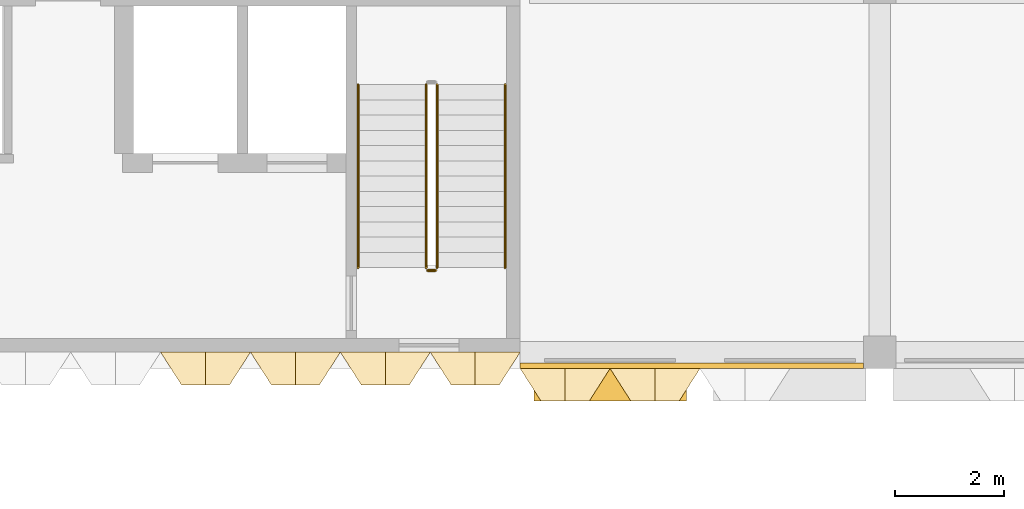
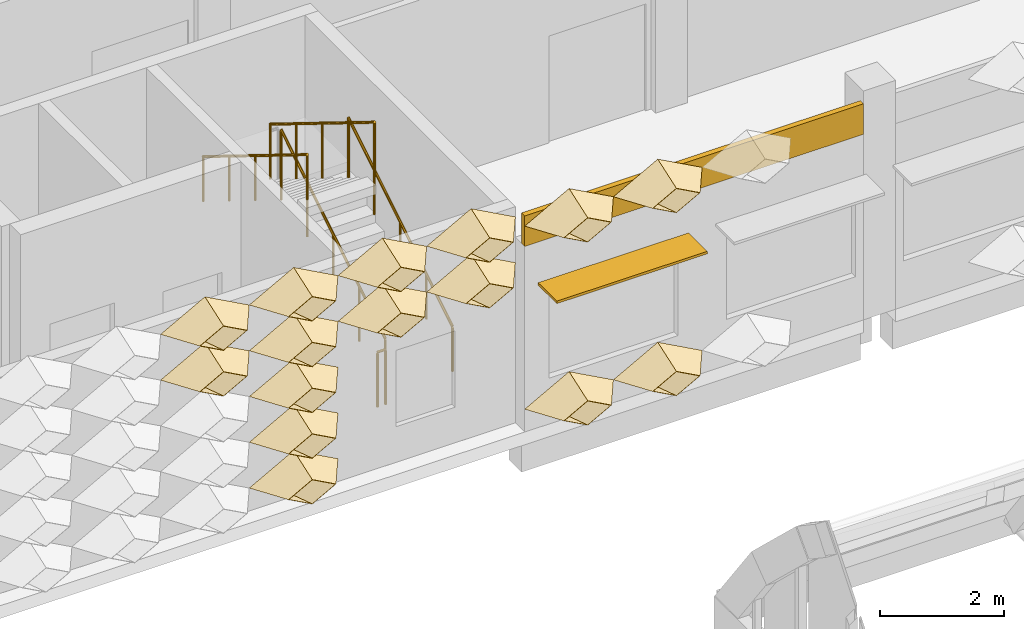
# One storey, part 89 of 102: 16 coverings, 5 railings, 1 shading device.
"""IFC4 building model written with IfcOpenShell, lengths in metres."""

from ifc_helpers import new_model, entity, si_unit, direction, frame, frame_2d, origin, origin_2d, place, context, subcontext, project, spatial, rectangle, circle, extrude, material, layer, layer_set, type_object, element, save


model = new_model("IFC4")

# Units and contexts
model_context = context("Model", 3, precision=1e-05, world=origin(), true_north=direction((0.0, 1.0)))
body_context = subcontext(model_context, "Body", "Model", "MODEL_VIEW")
ifc_project = project(units=[si_unit("LENGTHUNIT", "METRE"), si_unit("AREAUNIT", "SQUARE_METRE"), si_unit("VOLUMEUNIT", "CUBIC_METRE"), si_unit("PLANEANGLEUNIT", "RADIAN"), si_unit("MASSUNIT", "GRAM", prefix="KILO")], contexts=[model_context])

# Site, building, storey
site_placement = place(None, origin())
site = spatial("IfcSite", under=ifc_project, at=site_placement, CompositionType="ELEMENT")
building_placement = place(site_placement, origin())
building = spatial("IfcBuilding", under=site, at=building_placement, Name="Lantern Court Research Institute", CompositionType="ELEMENT")
storey_placement = place(building_placement, frame((0.0, 0.0, 9.89990234375)))
storey = spatial("IfcBuildingStorey", under=building, at=storey_placement, Name="L02", CompositionType="ELEMENT", Elevation=9.89990234375)

# Shading device
ifc_material_1 = material(Name="Aluminium alloy 6063-T6", Category="aluminium")
ifc_layer_1 = layer(ifc_material_1, 0.050048828125)
ifc_layer_set_1 = layer_set([ifc_layer_1], Name="Aluminium alloy 6063-T6")
shading_device_type = type_object("IfcShadingDeviceType", Name="Brise-soleil blade 2800 x 600 x 50 aluminium", PredefinedType="USERDEFINED", material=ifc_layer_set_1)
shading_device_placement = place(storey_placement, frame((54.449951171875, 81.89990234375, 2.80029296875), z_axis=(0.0, 0.0, 1.0), x_axis=(-1.0, 0.0, 0.0)))
element("IfcShadingDevice", 1, at=shading_device_placement, inside=storey, type_object=shading_device_type, Name="Brise-soleil blade L02 S", ObjectType="LOUVRE", PredefinedType="USERDEFINED", context=body_context, shape_type="SweptSolid", body=[
    extrude(rectangle(XDim=2.800048828125, YDim=0.60009765625, at=origin_2d()), origin(), (0.0, 0.0, 1.0), 0.050048828125),
])

# Coverings
ifc_material_2 = material(Name="Aluminium composite panel with mineral wool insulation", Category="aluminium")
ifc_layer_2 = layer(ifc_material_2, 0.10009765625)
ifc_layer_set_2 = layer_set([ifc_layer_2], Name="Aluminium composite panel with mineral wool insulation")
covering_type_1 = type_object("IfcCoveringType", Name="Edge fascia panel 100 aluminium faced", PredefinedType="CLADDING", material=ifc_layer_set_2)
covering_1_placement = place(storey_placement, frame((59.10009765625, 82.25, 3.650146484375), z_axis=(0.0, 0.0, 1.0), x_axis=(-1.0, 0.0, 0.0)))
element("IfcCovering", 2, at=covering_1_placement, inside=storey, type_object=covering_type_1, Name="Edge fascia V6S L02 07", PredefinedType="CLADDING", context=body_context, shape_type="SweptSolid", body=[
    extrude(rectangle(XDim=6.300048828125, YDim=0.10009765625, at=frame_2d((3.14990234375, 0.0))), origin(), (0.0, 0.0, 1.0), 0.599853515625),
])
ifc_material_3 = material(Name="Anodised aluminium", Category="aluminium")
ifc_layer_3 = layer(ifc_material_3, 0.01611328125)
ifc_layer_set_3 = layer_set([ifc_layer_3], Name="Anodised aluminium")
covering_type_2 = type_object("IfcCoveringType", Name="Fin cassette 1650 x 900 x 600 aluminium", PredefinedType="CLADDING", material=ifc_layer_set_3)
covering_2_placement = place(storey_placement, frame((48.675048828125, 82.5, 0.4501953125), z_axis=(0.0, -1.0, 0.0), x_axis=(1.0, 0.0, 0.0)))
cartesian_point_1 = entity("IfcCartesianPoint", [0.824951171875, 0.0])
cartesian_point_2 = entity("IfcCartesianPoint", [0.79150390625, 0.0])
cartesian_point_3 = entity("IfcCartesianPoint", [0.44189453125, 0.0])
cartesian_point_4 = entity("IfcCartesianPoint", [0.43359375, 0.0])
element("IfcCovering", 3, at=covering_2_placement, inside=storey, type_object=covering_type_2, Name="Fin cassette V6S-L02 1.30", PredefinedType="CLADDING", context=body_context, shape_type="SweptSolid", body=[
    entity("IfcExtrudedAreaSolidTapered", entity("IfcArbitraryProfileDefWithVoids", "AREA", None, entity("IfcPolyline", [cartesian_point_1, entity("IfcCartesianPoint", [0.0, 0.449951171875]), entity("IfcCartesianPoint", [-0.824951171875, 0.0]), entity("IfcCartesianPoint", [0.0, -0.449951171875]), cartesian_point_1]), [entity("IfcPolyline", [cartesian_point_2, entity("IfcCartesianPoint", [0.0, 0.431884765625]), entity("IfcCartesianPoint", [-0.79150390625, 0.0]), entity("IfcCartesianPoint", [0.0, -0.431884765625]), cartesian_point_2])]), entity("IfcAxis2Placement3D", entity("IfcCartesianPoint", [0.0, 0.0, 0.0])), entity("IfcDirection", [0.0, 0.0, 1.0]), 0.60009765625, entity("IfcArbitraryProfileDefWithVoids", "AREA", None, entity("IfcPolyline", [cartesian_point_3, entity("IfcCartesianPoint", [0.0, 0.240966796875]), entity("IfcCartesianPoint", [-0.44189453125, 0.0]), entity("IfcCartesianPoint", [0.0, -0.240966796875]), cartesian_point_3]), [entity("IfcPolyline", [cartesian_point_4, entity("IfcCartesianPoint", [0.0, 0.236572265625]), entity("IfcCartesianPoint", [-0.43359375, 0.0]), entity("IfcCartesianPoint", [0.0, -0.236572265625]), cartesian_point_4])])),
])
covering_3_placement = place(storey_placement, frame((48.675048828125, 82.5, 1.35009765625), z_axis=(0.0, -1.0, 0.0), x_axis=(1.0, 0.0, 0.0)))
cartesian_point_5 = entity("IfcCartesianPoint", [0.824951171875, 0.0])
cartesian_point_6 = entity("IfcCartesianPoint", [0.79150390625, 0.0])
cartesian_point_7 = entity("IfcCartesianPoint", [0.44189453125, 0.0])
cartesian_point_8 = entity("IfcCartesianPoint", [0.43359375, 0.0])
element("IfcCovering", 4, at=covering_3_placement, inside=storey, type_object=covering_type_2, Name="Fin cassette V6S-L02 2.30", PredefinedType="CLADDING", context=body_context, shape_type="SweptSolid", body=[
    entity("IfcExtrudedAreaSolidTapered", entity("IfcArbitraryProfileDefWithVoids", "AREA", None, entity("IfcPolyline", [cartesian_point_5, entity("IfcCartesianPoint", [0.0, 0.449951171875]), entity("IfcCartesianPoint", [-0.824951171875, 0.0]), entity("IfcCartesianPoint", [0.0, -0.449951171875]), cartesian_point_5]), [entity("IfcPolyline", [cartesian_point_6, entity("IfcCartesianPoint", [0.0, 0.431884765625]), entity("IfcCartesianPoint", [-0.79150390625, 0.0]), entity("IfcCartesianPoint", [0.0, -0.431884765625]), cartesian_point_6])]), entity("IfcAxis2Placement3D", entity("IfcCartesianPoint", [0.0, 0.0, 0.0])), entity("IfcDirection", [0.0, 0.0, 1.0]), 0.60009765625, entity("IfcArbitraryProfileDefWithVoids", "AREA", None, entity("IfcPolyline", [cartesian_point_7, entity("IfcCartesianPoint", [0.0, 0.240966796875]), entity("IfcCartesianPoint", [-0.44189453125, 0.0]), entity("IfcCartesianPoint", [0.0, -0.240966796875]), cartesian_point_7]), [entity("IfcPolyline", [cartesian_point_8, entity("IfcCartesianPoint", [0.0, 0.236572265625]), entity("IfcCartesianPoint", [-0.43359375, 0.0]), entity("IfcCartesianPoint", [0.0, -0.236572265625]), cartesian_point_8])])),
])
covering_4_placement = place(storey_placement, frame((48.675048828125, 82.5, 2.25), z_axis=(0.0, -1.0, 0.0), x_axis=(1.0, 0.0, 0.0)))
cartesian_point_9 = entity("IfcCartesianPoint", [0.824951171875, 0.0])
cartesian_point_10 = entity("IfcCartesianPoint", [0.79150390625, 0.0])
cartesian_point_11 = entity("IfcCartesianPoint", [0.44189453125, 0.0])
cartesian_point_12 = entity("IfcCartesianPoint", [0.43359375, 0.0])
element("IfcCovering", 5, at=covering_4_placement, inside=storey, type_object=covering_type_2, Name="Fin cassette V6S-L02 3.30", PredefinedType="CLADDING", context=body_context, shape_type="SweptSolid", body=[
    entity("IfcExtrudedAreaSolidTapered", entity("IfcArbitraryProfileDefWithVoids", "AREA", None, entity("IfcPolyline", [cartesian_point_9, entity("IfcCartesianPoint", [0.0, 0.449951171875]), entity("IfcCartesianPoint", [-0.824951171875, 0.0]), entity("IfcCartesianPoint", [0.0, -0.449951171875]), cartesian_point_9]), [entity("IfcPolyline", [cartesian_point_10, entity("IfcCartesianPoint", [0.0, 0.431884765625]), entity("IfcCartesianPoint", [-0.79150390625, 0.0]), entity("IfcCartesianPoint", [0.0, -0.431884765625]), cartesian_point_10])]), entity("IfcAxis2Placement3D", entity("IfcCartesianPoint", [0.0, 0.0, 0.0])), entity("IfcDirection", [0.0, 0.0, 1.0]), 0.60009765625, entity("IfcArbitraryProfileDefWithVoids", "AREA", None, entity("IfcPolyline", [cartesian_point_11, entity("IfcCartesianPoint", [0.0, 0.240966796875]), entity("IfcCartesianPoint", [-0.44189453125, 0.0]), entity("IfcCartesianPoint", [0.0, -0.240966796875]), cartesian_point_11]), [entity("IfcPolyline", [cartesian_point_12, entity("IfcCartesianPoint", [0.0, 0.236572265625]), entity("IfcCartesianPoint", [-0.43359375, 0.0]), entity("IfcCartesianPoint", [0.0, -0.236572265625]), cartesian_point_12])])),
])
covering_5_placement = place(storey_placement, frame((47.02490234375, 82.5, 3.150146484375), z_axis=(0.0, -1.0, 0.0), x_axis=(1.0, 0.0, 0.0)))
cartesian_point_13 = entity("IfcCartesianPoint", [0.824951171875, 0.0])
cartesian_point_14 = entity("IfcCartesianPoint", [0.79150390625, 0.0])
cartesian_point_15 = entity("IfcCartesianPoint", [0.44189453125, 0.0])
cartesian_point_16 = entity("IfcCartesianPoint", [0.43359375, 0.0])
element("IfcCovering", 6, at=covering_5_placement, inside=storey, type_object=covering_type_2, Name="Fin cassette V6S-L02 4.29", PredefinedType="CLADDING", context=body_context, shape_type="SweptSolid", body=[
    entity("IfcExtrudedAreaSolidTapered", entity("IfcArbitraryProfileDefWithVoids", "AREA", None, entity("IfcPolyline", [cartesian_point_13, entity("IfcCartesianPoint", [0.0, 0.449951171875]), entity("IfcCartesianPoint", [-0.824951171875, 0.0]), entity("IfcCartesianPoint", [0.0, -0.449951171875]), cartesian_point_13]), [entity("IfcPolyline", [cartesian_point_14, entity("IfcCartesianPoint", [0.0, 0.431884765625]), entity("IfcCartesianPoint", [-0.79150390625, 0.0]), entity("IfcCartesianPoint", [0.0, -0.431884765625]), cartesian_point_14])]), entity("IfcAxis2Placement3D", entity("IfcCartesianPoint", [0.0, 0.0, 0.0])), entity("IfcDirection", [0.0, 0.0, 1.0]), 0.60009765625, entity("IfcArbitraryProfileDefWithVoids", "AREA", None, entity("IfcPolyline", [cartesian_point_15, entity("IfcCartesianPoint", [0.0, 0.240966796875]), entity("IfcCartesianPoint", [-0.44189453125, 0.0]), entity("IfcCartesianPoint", [0.0, -0.240966796875]), cartesian_point_15]), [entity("IfcPolyline", [cartesian_point_16, entity("IfcCartesianPoint", [0.0, 0.236572265625]), entity("IfcCartesianPoint", [-0.43359375, 0.0]), entity("IfcCartesianPoint", [0.0, -0.236572265625]), cartesian_point_16])])),
])
covering_6_placement = place(storey_placement, frame((48.675048828125, 82.5, 3.150146484375), z_axis=(0.0, -1.0, 0.0), x_axis=(1.0, 0.0, 0.0)))
cartesian_point_17 = entity("IfcCartesianPoint", [0.824951171875, 0.0])
cartesian_point_18 = entity("IfcCartesianPoint", [0.79150390625, 0.0])
cartesian_point_19 = entity("IfcCartesianPoint", [0.44189453125, 0.0])
cartesian_point_20 = entity("IfcCartesianPoint", [0.43359375, 0.0])
element("IfcCovering", 7, at=covering_6_placement, inside=storey, type_object=covering_type_2, Name="Fin cassette V6S-L02 4.30", PredefinedType="CLADDING", context=body_context, shape_type="SweptSolid", body=[
    entity("IfcExtrudedAreaSolidTapered", entity("IfcArbitraryProfileDefWithVoids", "AREA", None, entity("IfcPolyline", [cartesian_point_17, entity("IfcCartesianPoint", [0.0, 0.449951171875]), entity("IfcCartesianPoint", [-0.824951171875, 0.0]), entity("IfcCartesianPoint", [0.0, -0.449951171875]), cartesian_point_17]), [entity("IfcPolyline", [cartesian_point_18, entity("IfcCartesianPoint", [0.0, 0.431884765625]), entity("IfcCartesianPoint", [-0.79150390625, 0.0]), entity("IfcCartesianPoint", [0.0, -0.431884765625]), cartesian_point_18])]), entity("IfcAxis2Placement3D", entity("IfcCartesianPoint", [0.0, 0.0, 0.0])), entity("IfcDirection", [0.0, 0.0, 1.0]), 0.60009765625, entity("IfcArbitraryProfileDefWithVoids", "AREA", None, entity("IfcPolyline", [cartesian_point_19, entity("IfcCartesianPoint", [0.0, 0.240966796875]), entity("IfcCartesianPoint", [-0.44189453125, 0.0]), entity("IfcCartesianPoint", [0.0, -0.240966796875]), cartesian_point_19]), [entity("IfcPolyline", [cartesian_point_20, entity("IfcCartesianPoint", [0.0, 0.236572265625]), entity("IfcCartesianPoint", [-0.43359375, 0.0]), entity("IfcCartesianPoint", [0.0, -0.236572265625]), cartesian_point_20])])),
])
covering_7_placement = place(storey_placement, frame((50.324951171875, 82.5, 3.150146484375), z_axis=(0.0, -1.0, 0.0), x_axis=(1.0, 0.0, 0.0)))
cartesian_point_21 = entity("IfcCartesianPoint", [0.824951171875, 0.0])
cartesian_point_22 = entity("IfcCartesianPoint", [0.79150390625, 0.0])
cartesian_point_23 = entity("IfcCartesianPoint", [0.44189453125, 0.0])
cartesian_point_24 = entity("IfcCartesianPoint", [0.43359375, 0.0])
element("IfcCovering", 8, at=covering_7_placement, inside=storey, type_object=covering_type_2, Name="Fin cassette V6S-L02 4.31", PredefinedType="CLADDING", context=body_context, shape_type="SweptSolid", body=[
    entity("IfcExtrudedAreaSolidTapered", entity("IfcArbitraryProfileDefWithVoids", "AREA", None, entity("IfcPolyline", [cartesian_point_21, entity("IfcCartesianPoint", [0.0, 0.449951171875]), entity("IfcCartesianPoint", [-0.824951171875, 0.0]), entity("IfcCartesianPoint", [0.0, -0.449951171875]), cartesian_point_21]), [entity("IfcPolyline", [cartesian_point_22, entity("IfcCartesianPoint", [0.0, 0.431884765625]), entity("IfcCartesianPoint", [-0.79150390625, 0.0]), entity("IfcCartesianPoint", [0.0, -0.431884765625]), cartesian_point_22])]), entity("IfcAxis2Placement3D", entity("IfcCartesianPoint", [0.0, 0.0, 0.0])), entity("IfcDirection", [0.0, 0.0, 1.0]), 0.60009765625, entity("IfcArbitraryProfileDefWithVoids", "AREA", None, entity("IfcPolyline", [cartesian_point_23, entity("IfcCartesianPoint", [0.0, 0.240966796875]), entity("IfcCartesianPoint", [-0.44189453125, 0.0]), entity("IfcCartesianPoint", [0.0, -0.240966796875]), cartesian_point_23]), [entity("IfcPolyline", [cartesian_point_24, entity("IfcCartesianPoint", [0.0, 0.236572265625]), entity("IfcCartesianPoint", [-0.43359375, 0.0]), entity("IfcCartesianPoint", [0.0, -0.236572265625]), cartesian_point_24])])),
])
covering_8_placement = place(storey_placement, frame((51.97509765625, 82.5, 3.150146484375), z_axis=(0.0, -1.0, 0.0), x_axis=(1.0, 0.0, 0.0)))
cartesian_point_25 = entity("IfcCartesianPoint", [0.824951171875, 0.0])
cartesian_point_26 = entity("IfcCartesianPoint", [0.79150390625, 0.0])
cartesian_point_27 = entity("IfcCartesianPoint", [0.44189453125, 0.0])
cartesian_point_28 = entity("IfcCartesianPoint", [0.43359375, 0.0])
element("IfcCovering", 9, at=covering_8_placement, inside=storey, type_object=covering_type_2, Name="Fin cassette V6S-L02 4.32", PredefinedType="CLADDING", context=body_context, shape_type="SweptSolid", body=[
    entity("IfcExtrudedAreaSolidTapered", entity("IfcArbitraryProfileDefWithVoids", "AREA", None, entity("IfcPolyline", [cartesian_point_25, entity("IfcCartesianPoint", [0.0, 0.449951171875]), entity("IfcCartesianPoint", [-0.824951171875, 0.0]), entity("IfcCartesianPoint", [0.0, -0.449951171875]), cartesian_point_25]), [entity("IfcPolyline", [cartesian_point_26, entity("IfcCartesianPoint", [0.0, 0.431884765625]), entity("IfcCartesianPoint", [-0.79150390625, 0.0]), entity("IfcCartesianPoint", [0.0, -0.431884765625]), cartesian_point_26])]), entity("IfcAxis2Placement3D", entity("IfcCartesianPoint", [0.0, 0.0, 0.0])), entity("IfcDirection", [0.0, 0.0, 1.0]), 0.60009765625, entity("IfcArbitraryProfileDefWithVoids", "AREA", None, entity("IfcPolyline", [cartesian_point_27, entity("IfcCartesianPoint", [0.0, 0.240966796875]), entity("IfcCartesianPoint", [-0.44189453125, 0.0]), entity("IfcCartesianPoint", [0.0, -0.240966796875]), cartesian_point_27]), [entity("IfcPolyline", [cartesian_point_28, entity("IfcCartesianPoint", [0.0, 0.236572265625]), entity("IfcCartesianPoint", [-0.43359375, 0.0]), entity("IfcCartesianPoint", [0.0, -0.236572265625]), cartesian_point_28])])),
])
covering_9_placement = place(storey_placement, frame((47.02490234375, 82.5, 4.050048828125), z_axis=(0.0, -1.0, 0.0), x_axis=(1.0, 0.0, 0.0)))
cartesian_point_29 = entity("IfcCartesianPoint", [0.824951171875, 0.0])
cartesian_point_30 = entity("IfcCartesianPoint", [0.79150390625, 0.0])
cartesian_point_31 = entity("IfcCartesianPoint", [0.44189453125, 0.0])
cartesian_point_32 = entity("IfcCartesianPoint", [0.43359375, 0.0])
element("IfcCovering", 10, at=covering_9_placement, inside=storey, type_object=covering_type_2, Name="Fin cassette V6S-L02 5.29", PredefinedType="CLADDING", context=body_context, shape_type="SweptSolid", body=[
    entity("IfcExtrudedAreaSolidTapered", entity("IfcArbitraryProfileDefWithVoids", "AREA", None, entity("IfcPolyline", [cartesian_point_29, entity("IfcCartesianPoint", [0.0, 0.449951171875]), entity("IfcCartesianPoint", [-0.824951171875, 0.0]), entity("IfcCartesianPoint", [0.0, -0.449951171875]), cartesian_point_29]), [entity("IfcPolyline", [cartesian_point_30, entity("IfcCartesianPoint", [0.0, 0.431884765625]), entity("IfcCartesianPoint", [-0.79150390625, 0.0]), entity("IfcCartesianPoint", [0.0, -0.431884765625]), cartesian_point_30])]), entity("IfcAxis2Placement3D", entity("IfcCartesianPoint", [0.0, 0.0, 0.0])), entity("IfcDirection", [0.0, 0.0, 1.0]), 0.60009765625, entity("IfcArbitraryProfileDefWithVoids", "AREA", None, entity("IfcPolyline", [cartesian_point_31, entity("IfcCartesianPoint", [0.0, 0.240966796875]), entity("IfcCartesianPoint", [-0.44189453125, 0.0]), entity("IfcCartesianPoint", [0.0, -0.240966796875]), cartesian_point_31]), [entity("IfcPolyline", [cartesian_point_32, entity("IfcCartesianPoint", [0.0, 0.236572265625]), entity("IfcCartesianPoint", [-0.43359375, 0.0]), entity("IfcCartesianPoint", [0.0, -0.236572265625]), cartesian_point_32])])),
])
covering_10_placement = place(storey_placement, frame((48.675048828125, 82.5, 4.050048828125), z_axis=(0.0, -1.0, 0.0), x_axis=(1.0, 0.0, 0.0)))
cartesian_point_33 = entity("IfcCartesianPoint", [0.824951171875, 0.0])
cartesian_point_34 = entity("IfcCartesianPoint", [0.79150390625, 0.0])
cartesian_point_35 = entity("IfcCartesianPoint", [0.44189453125, 0.0])
cartesian_point_36 = entity("IfcCartesianPoint", [0.43359375, 0.0])
element("IfcCovering", 11, at=covering_10_placement, inside=storey, type_object=covering_type_2, Name="Fin cassette V6S-L02 5.30", PredefinedType="CLADDING", context=body_context, shape_type="SweptSolid", body=[
    entity("IfcExtrudedAreaSolidTapered", entity("IfcArbitraryProfileDefWithVoids", "AREA", None, entity("IfcPolyline", [cartesian_point_33, entity("IfcCartesianPoint", [0.0, 0.449951171875]), entity("IfcCartesianPoint", [-0.824951171875, 0.0]), entity("IfcCartesianPoint", [0.0, -0.449951171875]), cartesian_point_33]), [entity("IfcPolyline", [cartesian_point_34, entity("IfcCartesianPoint", [0.0, 0.431884765625]), entity("IfcCartesianPoint", [-0.79150390625, 0.0]), entity("IfcCartesianPoint", [0.0, -0.431884765625]), cartesian_point_34])]), entity("IfcAxis2Placement3D", entity("IfcCartesianPoint", [0.0, 0.0, 0.0])), entity("IfcDirection", [0.0, 0.0, 1.0]), 0.60009765625, entity("IfcArbitraryProfileDefWithVoids", "AREA", None, entity("IfcPolyline", [cartesian_point_35, entity("IfcCartesianPoint", [0.0, 0.240966796875]), entity("IfcCartesianPoint", [-0.44189453125, 0.0]), entity("IfcCartesianPoint", [0.0, -0.240966796875]), cartesian_point_35]), [entity("IfcPolyline", [cartesian_point_36, entity("IfcCartesianPoint", [0.0, 0.236572265625]), entity("IfcCartesianPoint", [-0.43359375, 0.0]), entity("IfcCartesianPoint", [0.0, -0.236572265625]), cartesian_point_36])])),
])
covering_11_placement = place(storey_placement, frame((50.324951171875, 82.5, 4.050048828125), z_axis=(0.0, -1.0, 0.0), x_axis=(1.0, 0.0, 0.0)))
cartesian_point_37 = entity("IfcCartesianPoint", [0.824951171875, 0.0])
cartesian_point_38 = entity("IfcCartesianPoint", [0.79150390625, 0.0])
cartesian_point_39 = entity("IfcCartesianPoint", [0.44189453125, 0.0])
cartesian_point_40 = entity("IfcCartesianPoint", [0.43359375, 0.0])
element("IfcCovering", 12, at=covering_11_placement, inside=storey, type_object=covering_type_2, Name="Fin cassette V6S-L02 5.31", PredefinedType="CLADDING", context=body_context, shape_type="SweptSolid", body=[
    entity("IfcExtrudedAreaSolidTapered", entity("IfcArbitraryProfileDefWithVoids", "AREA", None, entity("IfcPolyline", [cartesian_point_37, entity("IfcCartesianPoint", [0.0, 0.449951171875]), entity("IfcCartesianPoint", [-0.824951171875, 0.0]), entity("IfcCartesianPoint", [0.0, -0.449951171875]), cartesian_point_37]), [entity("IfcPolyline", [cartesian_point_38, entity("IfcCartesianPoint", [0.0, 0.431884765625]), entity("IfcCartesianPoint", [-0.79150390625, 0.0]), entity("IfcCartesianPoint", [0.0, -0.431884765625]), cartesian_point_38])]), entity("IfcAxis2Placement3D", entity("IfcCartesianPoint", [0.0, 0.0, 0.0])), entity("IfcDirection", [0.0, 0.0, 1.0]), 0.60009765625, entity("IfcArbitraryProfileDefWithVoids", "AREA", None, entity("IfcPolyline", [cartesian_point_39, entity("IfcCartesianPoint", [0.0, 0.240966796875]), entity("IfcCartesianPoint", [-0.44189453125, 0.0]), entity("IfcCartesianPoint", [0.0, -0.240966796875]), cartesian_point_39]), [entity("IfcPolyline", [cartesian_point_40, entity("IfcCartesianPoint", [0.0, 0.236572265625]), entity("IfcCartesianPoint", [-0.43359375, 0.0]), entity("IfcCartesianPoint", [0.0, -0.236572265625]), cartesian_point_40])])),
])
covering_12_placement = place(storey_placement, frame((51.97509765625, 82.5, 4.050048828125), z_axis=(0.0, -1.0, 0.0), x_axis=(1.0, 0.0, 0.0)))
cartesian_point_41 = entity("IfcCartesianPoint", [0.824951171875, 0.0])
cartesian_point_42 = entity("IfcCartesianPoint", [0.79150390625, 0.0])
cartesian_point_43 = entity("IfcCartesianPoint", [0.44189453125, 0.0])
cartesian_point_44 = entity("IfcCartesianPoint", [0.43359375, 0.0])
element("IfcCovering", 13, at=covering_12_placement, inside=storey, type_object=covering_type_2, Name="Fin cassette V6S-L02 5.32", PredefinedType="CLADDING", context=body_context, shape_type="SweptSolid", body=[
    entity("IfcExtrudedAreaSolidTapered", entity("IfcArbitraryProfileDefWithVoids", "AREA", None, entity("IfcPolyline", [cartesian_point_41, entity("IfcCartesianPoint", [0.0, 0.449951171875]), entity("IfcCartesianPoint", [-0.824951171875, 0.0]), entity("IfcCartesianPoint", [0.0, -0.449951171875]), cartesian_point_41]), [entity("IfcPolyline", [cartesian_point_42, entity("IfcCartesianPoint", [0.0, 0.431884765625]), entity("IfcCartesianPoint", [-0.79150390625, 0.0]), entity("IfcCartesianPoint", [0.0, -0.431884765625]), cartesian_point_42])]), entity("IfcAxis2Placement3D", entity("IfcCartesianPoint", [0.0, 0.0, 0.0])), entity("IfcDirection", [0.0, 0.0, 1.0]), 0.60009765625, entity("IfcArbitraryProfileDefWithVoids", "AREA", None, entity("IfcPolyline", [cartesian_point_43, entity("IfcCartesianPoint", [0.0, 0.240966796875]), entity("IfcCartesianPoint", [-0.44189453125, 0.0]), entity("IfcCartesianPoint", [0.0, -0.240966796875]), cartesian_point_43]), [entity("IfcPolyline", [cartesian_point_44, entity("IfcCartesianPoint", [0.0, 0.236572265625]), entity("IfcCartesianPoint", [-0.43359375, 0.0]), entity("IfcCartesianPoint", [0.0, -0.236572265625]), cartesian_point_44])])),
])
covering_13_placement = place(storey_placement, frame((53.625, 82.199951171875, 0.4501953125), z_axis=(0.0, -1.0, 0.0), x_axis=(1.0, 0.0, 0.0)))
cartesian_point_45 = entity("IfcCartesianPoint", [0.824951171875, 0.0])
cartesian_point_46 = entity("IfcCartesianPoint", [0.79150390625, 0.0])
cartesian_point_47 = entity("IfcCartesianPoint", [0.44189453125, 0.0])
cartesian_point_48 = entity("IfcCartesianPoint", [0.43359375, 0.0])
element("IfcCovering", 14, at=covering_13_placement, inside=storey, type_object=covering_type_2, Name="Fin cassette V6S-L02 1.33", PredefinedType="CLADDING", context=body_context, shape_type="SweptSolid", body=[
    entity("IfcExtrudedAreaSolidTapered", entity("IfcArbitraryProfileDefWithVoids", "AREA", None, entity("IfcPolyline", [cartesian_point_45, entity("IfcCartesianPoint", [0.0, 0.449951171875]), entity("IfcCartesianPoint", [-0.824951171875, 0.0]), entity("IfcCartesianPoint", [0.0, -0.449951171875]), cartesian_point_45]), [entity("IfcPolyline", [cartesian_point_46, entity("IfcCartesianPoint", [0.0, 0.431884765625]), entity("IfcCartesianPoint", [-0.79150390625, 0.0]), entity("IfcCartesianPoint", [0.0, -0.431884765625]), cartesian_point_46])]), entity("IfcAxis2Placement3D", entity("IfcCartesianPoint", [0.0, 0.0, 0.0])), entity("IfcDirection", [0.0, 0.0, 1.0]), 0.60009765625, entity("IfcArbitraryProfileDefWithVoids", "AREA", None, entity("IfcPolyline", [cartesian_point_47, entity("IfcCartesianPoint", [0.0, 0.240966796875]), entity("IfcCartesianPoint", [-0.44189453125, 0.0]), entity("IfcCartesianPoint", [0.0, -0.240966796875]), cartesian_point_47]), [entity("IfcPolyline", [cartesian_point_48, entity("IfcCartesianPoint", [0.0, 0.236572265625]), entity("IfcCartesianPoint", [-0.43359375, 0.0]), entity("IfcCartesianPoint", [0.0, -0.236572265625]), cartesian_point_48])])),
])
covering_14_placement = place(storey_placement, frame((55.27490234375, 82.199951171875, 0.4501953125), z_axis=(0.0, -1.0, 0.0), x_axis=(1.0, 0.0, 0.0)))
cartesian_point_49 = entity("IfcCartesianPoint", [0.824951171875, 0.0])
cartesian_point_50 = entity("IfcCartesianPoint", [0.79150390625, 0.0])
cartesian_point_51 = entity("IfcCartesianPoint", [0.44189453125, 0.0])
cartesian_point_52 = entity("IfcCartesianPoint", [0.43359375, 0.0])
element("IfcCovering", 15, at=covering_14_placement, inside=storey, type_object=covering_type_2, Name="Fin cassette V6S-L02 1.34", PredefinedType="CLADDING", context=body_context, shape_type="SweptSolid", body=[
    entity("IfcExtrudedAreaSolidTapered", entity("IfcArbitraryProfileDefWithVoids", "AREA", None, entity("IfcPolyline", [cartesian_point_49, entity("IfcCartesianPoint", [0.0, 0.449951171875]), entity("IfcCartesianPoint", [-0.824951171875, 0.0]), entity("IfcCartesianPoint", [0.0, -0.449951171875]), cartesian_point_49]), [entity("IfcPolyline", [cartesian_point_50, entity("IfcCartesianPoint", [0.0, 0.431884765625]), entity("IfcCartesianPoint", [-0.79150390625, 0.0]), entity("IfcCartesianPoint", [0.0, -0.431884765625]), cartesian_point_50])]), entity("IfcAxis2Placement3D", entity("IfcCartesianPoint", [0.0, 0.0, 0.0])), entity("IfcDirection", [0.0, 0.0, 1.0]), 0.60009765625, entity("IfcArbitraryProfileDefWithVoids", "AREA", None, entity("IfcPolyline", [cartesian_point_51, entity("IfcCartesianPoint", [0.0, 0.240966796875]), entity("IfcCartesianPoint", [-0.44189453125, 0.0]), entity("IfcCartesianPoint", [0.0, -0.240966796875]), cartesian_point_51]), [entity("IfcPolyline", [cartesian_point_52, entity("IfcCartesianPoint", [0.0, 0.236572265625]), entity("IfcCartesianPoint", [-0.43359375, 0.0]), entity("IfcCartesianPoint", [0.0, -0.236572265625]), cartesian_point_52])])),
])
covering_15_placement = place(storey_placement, frame((53.625, 82.199951171875, 4.050048828125), z_axis=(0.0, -1.0, 0.0), x_axis=(1.0, 0.0, 0.0)))
cartesian_point_53 = entity("IfcCartesianPoint", [0.824951171875, 0.0])
cartesian_point_54 = entity("IfcCartesianPoint", [0.79150390625, 0.0])
cartesian_point_55 = entity("IfcCartesianPoint", [0.44189453125, 0.0])
cartesian_point_56 = entity("IfcCartesianPoint", [0.43359375, 0.0])
element("IfcCovering", 16, at=covering_15_placement, inside=storey, type_object=covering_type_2, Name="Fin cassette V6S-L02 5.33", PredefinedType="CLADDING", context=body_context, shape_type="SweptSolid", body=[
    entity("IfcExtrudedAreaSolidTapered", entity("IfcArbitraryProfileDefWithVoids", "AREA", None, entity("IfcPolyline", [cartesian_point_53, entity("IfcCartesianPoint", [0.0, 0.449951171875]), entity("IfcCartesianPoint", [-0.824951171875, 0.0]), entity("IfcCartesianPoint", [0.0, -0.449951171875]), cartesian_point_53]), [entity("IfcPolyline", [cartesian_point_54, entity("IfcCartesianPoint", [0.0, 0.431884765625]), entity("IfcCartesianPoint", [-0.79150390625, 0.0]), entity("IfcCartesianPoint", [0.0, -0.431884765625]), cartesian_point_54])]), entity("IfcAxis2Placement3D", entity("IfcCartesianPoint", [0.0, 0.0, 0.0])), entity("IfcDirection", [0.0, 0.0, 1.0]), 0.60009765625, entity("IfcArbitraryProfileDefWithVoids", "AREA", None, entity("IfcPolyline", [cartesian_point_55, entity("IfcCartesianPoint", [0.0, 0.240966796875]), entity("IfcCartesianPoint", [-0.44189453125, 0.0]), entity("IfcCartesianPoint", [0.0, -0.240966796875]), cartesian_point_55]), [entity("IfcPolyline", [cartesian_point_56, entity("IfcCartesianPoint", [0.0, 0.236572265625]), entity("IfcCartesianPoint", [-0.43359375, 0.0]), entity("IfcCartesianPoint", [0.0, -0.236572265625]), cartesian_point_56])])),
])
covering_16_placement = place(storey_placement, frame((55.27490234375, 82.199951171875, 4.050048828125), z_axis=(0.0, -1.0, 0.0), x_axis=(1.0, 0.0, 0.0)))
cartesian_point_57 = entity("IfcCartesianPoint", [0.824951171875, 0.0])
cartesian_point_58 = entity("IfcCartesianPoint", [0.79150390625, 0.0])
cartesian_point_59 = entity("IfcCartesianPoint", [0.44189453125, 0.0])
cartesian_point_60 = entity("IfcCartesianPoint", [0.43359375, 0.0])
element("IfcCovering", 17, at=covering_16_placement, inside=storey, type_object=covering_type_2, Name="Fin cassette V6S-L02 5.34", PredefinedType="CLADDING", context=body_context, shape_type="SweptSolid", body=[
    entity("IfcExtrudedAreaSolidTapered", entity("IfcArbitraryProfileDefWithVoids", "AREA", None, entity("IfcPolyline", [cartesian_point_57, entity("IfcCartesianPoint", [0.0, 0.449951171875]), entity("IfcCartesianPoint", [-0.824951171875, 0.0]), entity("IfcCartesianPoint", [0.0, -0.449951171875]), cartesian_point_57]), [entity("IfcPolyline", [cartesian_point_58, entity("IfcCartesianPoint", [0.0, 0.431884765625]), entity("IfcCartesianPoint", [-0.79150390625, 0.0]), entity("IfcCartesianPoint", [0.0, -0.431884765625]), cartesian_point_58])]), entity("IfcAxis2Placement3D", entity("IfcCartesianPoint", [0.0, 0.0, 0.0])), entity("IfcDirection", [0.0, 0.0, 1.0]), 0.60009765625, entity("IfcArbitraryProfileDefWithVoids", "AREA", None, entity("IfcPolyline", [cartesian_point_59, entity("IfcCartesianPoint", [0.0, 0.240966796875]), entity("IfcCartesianPoint", [-0.44189453125, 0.0]), entity("IfcCartesianPoint", [0.0, -0.240966796875]), cartesian_point_59]), [entity("IfcPolyline", [cartesian_point_60, entity("IfcCartesianPoint", [0.0, 0.236572265625]), entity("IfcCartesianPoint", [-0.43359375, 0.0]), entity("IfcCartesianPoint", [0.0, -0.236572265625]), cartesian_point_60])])),
])

# Railings
ifc_material_4 = material(Name="Structural steel S355", Category="steel")
railing_type_1 = type_object("IfcRailingType", Name="Stair guard 1100 steel", PredefinedType="GUARDRAIL", material=ifc_material_4)
railing_1_placement = place(storey_placement, frame((51.27490234375, 84.050048828125, 0.173095703125)))
element("IfcRailing", 18, at=railing_1_placement, inside=storey, type_object=railing_type_1, Name="L02 ST-W2 stair guard 1", PredefinedType="GUARDRAIL", context=body_context, shape_type="SweptSolid", body=[
    extrude(circle(Radius=0.02392578125, at=origin_2d()), frame((0.0, 0.0, 1.076171875), z_axis=(0.0, 0.850606129759, 0.525803396734), x_axis=(-1.0, 0.0, 0.0)), (0.0, 0.0, 1.0), 3.949951171875),
    extrude(circle(Radius=0.02099609375, at=origin_2d()), origin(), (0.0, 0.0, 1.0), 1.052001953125),
    extrude(circle(Radius=0.02099609375, at=origin_2d()), frame((0.0, 0.83984375, 0.519287109375)), (0.0, 0.0, 1.0), 1.052001953125),
    extrude(circle(Radius=0.02099609375, at=origin_2d()), frame((0.0, 1.679931640625, 1.03857421875)), (0.0, 0.0, 1.0), 1.052001953125),
    extrude(circle(Radius=0.02099609375, at=origin_2d()), frame((0.0, 2.52001953125, 1.5576171875)), (0.0, 0.0, 1.0), 1.052001953125),
    extrude(circle(Radius=0.02099609375, at=origin_2d()), frame((0.0, 3.35986328125, 2.076904296875)), (0.0, 0.0, 1.0), 1.052001953125),
])
railing_2_placement = place(storey_placement, frame((51.074951171875, 87.409912109375, 2.423095703125)))
element("IfcRailing", 19, at=railing_2_placement, inside=storey, type_object=railing_type_1, Name="L02 ST-W2 stair guard 3", PredefinedType="GUARDRAIL", context=body_context, shape_type="SweptSolid", body=[
    extrude(circle(Radius=0.02392578125, at=origin_2d()), frame((0.0, 0.0, 1.076171875), z_axis=(0.0, -0.850606129759, 0.525803396734), x_axis=(1.0, 0.0, 0.0)), (0.0, 0.0, 1.0), 3.949951171875),
    extrude(circle(Radius=0.02099609375, at=origin_2d()), origin(), (0.0, 0.0, 1.0), 1.052001953125),
    extrude(circle(Radius=0.02099609375, at=origin_2d()), frame((0.0, -0.83984375, 0.519287109375)), (0.0, 0.0, 1.0), 1.052001953125),
    extrude(circle(Radius=0.02099609375, at=origin_2d()), frame((0.0, -1.679931640625, 1.03857421875)), (0.0, 0.0, 1.0), 1.052001953125),
    extrude(circle(Radius=0.02099609375, at=origin_2d()), frame((0.0, -2.52001953125, 1.5576171875)), (0.0, 0.0, 1.0), 1.052001953125),
    extrude(circle(Radius=0.02099609375, at=origin_2d()), frame((0.0, -3.35986328125, 2.076904296875)), (0.0, 0.0, 1.0), 1.052001953125),
])
railing_3_placement = place(storey_placement, frame((51.25, 84.0, 0.0)))
element("IfcRailing", 20, at=railing_3_placement, inside=storey, type_object=railing_type_1, Name="L02 ST-W2 stair guard 4", PredefinedType="GUARDRAIL", context=body_context, shape_type="SweptSolid", body=[
    extrude(circle(Radius=0.02392578125, at=origin_2d()), frame((0.0, 0.0, 1.076171875), z_axis=(-1.0, 0.0, 0.0), x_axis=(0.0, -1.0, 0.0)), (0.0, 0.0, 1.0), 0.14990234375),
    extrude(circle(Radius=0.02099609375, at=origin_2d()), origin(), (0.0, 0.0, 1.0), 1.052001953125),
    extrude(circle(Radius=0.02099609375, at=origin_2d()), frame((-0.14990234375, 0.0, 0.0)), (0.0, 0.0, 1.0), 1.052001953125),
])
ifc_material_5 = material(Name="Stainless steel 316", Category="steel")
railing_type_2 = type_object("IfcRailingType", Name="Stair handrail 900 steel", PredefinedType="HANDRAIL", material=ifc_material_5)
railing_4_placement = place(storey_placement, frame((52.52490234375, 84.050048828125, 0.173095703125)))
element("IfcRailing", 21, at=railing_4_placement, inside=storey, type_object=railing_type_2, Name="L02 ST-W2 stair handrail 1", PredefinedType="HANDRAIL", context=body_context, shape_type="SweptSolid", body=[
    extrude(circle(Radius=0.02392578125, at=origin_2d()), frame((0.0, 0.0, 0.8759765625), z_axis=(0.0, 0.850606129759, 0.525803396734), x_axis=(-1.0, 0.0, 0.0)), (0.0, 0.0, 1.0), 3.949951171875),
    extrude(circle(Radius=0.02099609375, at=origin_2d()), origin(), (0.0, 0.0, 1.0), 0.851806640625),
    extrude(circle(Radius=0.02099609375, at=origin_2d()), frame((0.0, 0.83984375, 0.519287109375)), (0.0, 0.0, 1.0), 0.851806640625),
    extrude(circle(Radius=0.02099609375, at=origin_2d()), frame((0.0, 1.679931640625, 1.03857421875)), (0.0, 0.0, 1.0), 0.851806640625),
    extrude(circle(Radius=0.02099609375, at=origin_2d()), frame((0.0, 2.52001953125, 1.5576171875)), (0.0, 0.0, 1.0), 0.851806640625),
    extrude(circle(Radius=0.02099609375, at=origin_2d()), frame((0.0, 3.35986328125, 2.076904296875)), (0.0, 0.0, 1.0), 0.851806640625),
])
railing_5_placement = place(storey_placement, frame((49.824951171875, 87.409912109375, 2.423095703125)))
element("IfcRailing", 22, at=railing_5_placement, inside=storey, type_object=railing_type_2, Name="L02 ST-W2 stair handrail 2", PredefinedType="HANDRAIL", context=body_context, shape_type="SweptSolid", body=[
    extrude(circle(Radius=0.02392578125, at=origin_2d()), frame((0.0, 0.0, 0.8759765625), z_axis=(0.0, -0.850606129759, 0.525803396734), x_axis=(1.0, 0.0, 0.0)), (0.0, 0.0, 1.0), 3.949951171875),
    extrude(circle(Radius=0.02099609375, at=origin_2d()), origin(), (0.0, 0.0, 1.0), 0.851806640625),
    extrude(circle(Radius=0.02099609375, at=origin_2d()), frame((0.0, -0.83984375, 0.519287109375)), (0.0, 0.0, 1.0), 0.851806640625),
    extrude(circle(Radius=0.02099609375, at=origin_2d()), frame((0.0, -1.679931640625, 1.03857421875)), (0.0, 0.0, 1.0), 0.851806640625),
    extrude(circle(Radius=0.02099609375, at=origin_2d()), frame((0.0, -2.52001953125, 1.5576171875)), (0.0, 0.0, 1.0), 0.851806640625),
    extrude(circle(Radius=0.02099609375, at=origin_2d()), frame((0.0, -3.35986328125, 2.076904296875)), (0.0, 0.0, 1.0), 0.851806640625),
])

save(model, "model.ifc")
